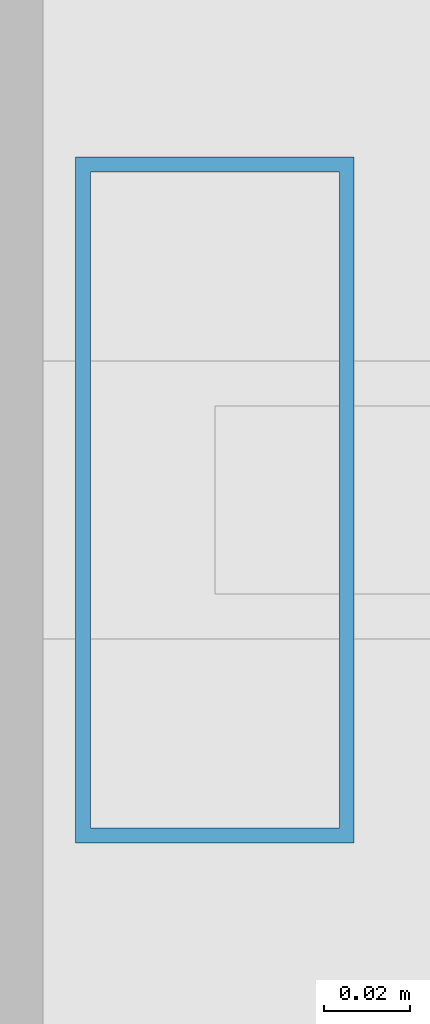
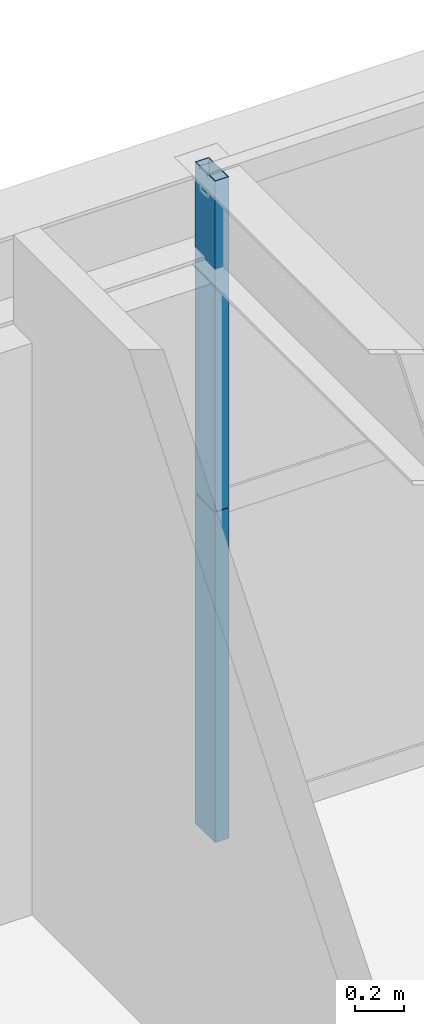
# One storey, part 22 of 35: 2 members, 1 element without a shape of its own.
"""IFC4 building model written with IfcOpenShell, lengths in metres."""

from ifc_helpers import new_model, si_unit, direction, frame, origin, origin_2d, place, context, subcontext, project, spatial, hollow_rectangle, extrude, source, transform, mapped, material, layer, layer_set, material_profile, profile_set, type_object, element, aggregate, save


model = new_model("IFC4")

# Units and contexts
model_context = context("Model", 3, precision=1e-05, world=origin(), true_north=direction((0.0, 1.0)))
body_context = subcontext(model_context, "Body", "Model", "MODEL_VIEW")
ifc_project = project(units=[si_unit("LENGTHUNIT", "METRE"), si_unit("AREAUNIT", "SQUARE_METRE"), si_unit("VOLUMEUNIT", "CUBIC_METRE"), si_unit("PLANEANGLEUNIT", "RADIAN"), si_unit("MASSUNIT", "GRAM", prefix="KILO"), si_unit("THERMODYNAMICTEMPERATUREUNIT", "KELVIN"), si_unit("POWERUNIT", "WATT")], contexts=[model_context])

# Site, building, storey
site_placement = place(None, origin())
site = spatial("IfcSite", under=ifc_project, at=site_placement, CompositionType="ELEMENT")
building_placement = place(site_placement, origin())
building = spatial("IfcBuilding", under=site, at=building_placement, Name="Yuzanri Waterfront Tower", CompositionType="ELEMENT")
storey_placement = place(building_placement, frame((0.0, 0.0, 248.60009765625)))
storey = spatial("IfcBuildingStorey", under=building, at=storey_placement, Name="L66", CompositionType="ELEMENT", Elevation=248.60009765625)

# Curtain wall, members
ifc_material_1 = material(Name="Anodized Architectural Bronze", Category="metal")
ifc_layer = layer(ifc_material_1, 0.159912109375)
ifc_layer_set = layer_set([ifc_layer], Name="Anodized Architectural Bronze")
curtain_wall_type = type_object("IfcCurtainWallType", Name="Anodized Bronze Mid-Rise Residential Acoustic Unitized Curtain Wall 7200", PredefinedType="NOTDEFINED", material=ifc_layer_set)
curtain_wall_placement = place(storey_placement, origin())
curtain_wall = element("IfcCurtainWall", 1, at=curtain_wall_placement, inside=storey, type_object=curtain_wall_type, Name="L66 Curtain Wall CW-L66-NL", PredefinedType="NOTDEFINED")
ifc_material_2 = material(Name="Anodized Architectural Bronze", Category="metal")
ifc_material_profile = material_profile(ifc_material_2, hollow_rectangle(XDim=0.06494140625, YDim=0.159912109375, WallThickness=0.00341796875, at=origin_2d()), Name="CWM 65x160")
ifc_profile_set = profile_set([ifc_material_profile], Name="Anodized Architectural Bronze")
member_type = type_object("IfcMemberType", Name="Anodized Bronze Upper-Zone Curtain-Wall Mullion 65x160", PredefinedType="MULLION", material=ifc_profile_set)
shared_shape = source(origin(), body_context, "Body", "SweptSolid", [
    extrude(hollow_rectangle(XDim=0.06494140625, YDim=0.159912109375, WallThickness=0.00341796875, at=origin_2d()), origin(), (0.0, 0.0, 1.0), 1.637939453125),
])
member_1_placement = place(storey_placement, frame((23.7900390625, 46.25, 0.0), z_axis=(0.0, 0.0, 1.0), x_axis=(1.0, 0.0, 0.0)))
member_1 = element("IfcMember", 2, at=member_1_placement, type_object=member_type, Name="CW-L66-NL Lower Mullion 00", PredefinedType="MULLION", context=body_context, shape_type="MappedRepresentation", body=[
    mapped(shared_shape, transform((0.0, 0.0, 0.0), scale=1.0)),
])
member_2_placement = place(storey_placement, frame((23.7900390625, 46.25, 1.641845703125), z_axis=(0.0, 0.0, 1.0), x_axis=(1.0, 0.0, 0.0)))
member_2 = element("IfcMember", 3, at=member_2_placement, type_object=member_type, Name="CW-L66-NL Upper Mullion 00", PredefinedType="MULLION", context=body_context, shape_type="MappedRepresentation", body=[
    mapped(shared_shape, transform((0.0, 0.0, 0.0), scale=1.0)),
])
aggregate(curtain_wall, [member_1, member_2])

save(model, "model.ifc")
